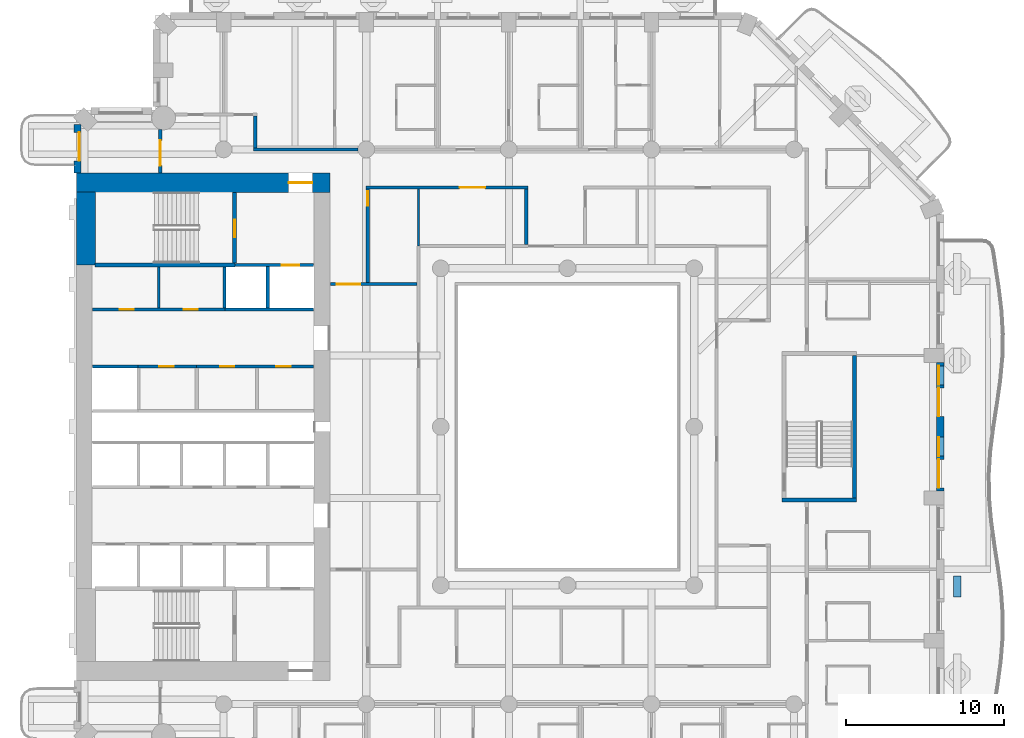
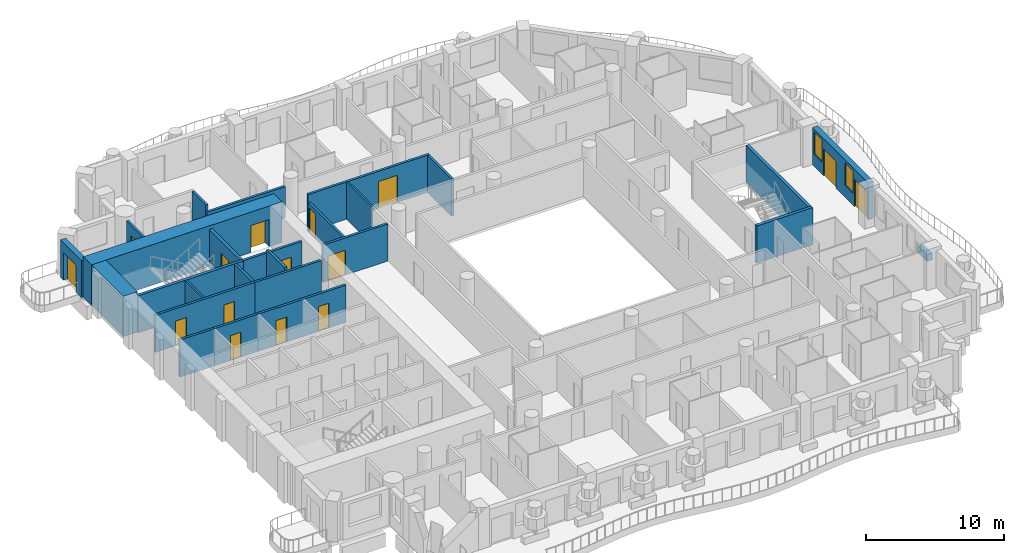
# One storey, part 7 of 20: 26 walls, 15 doors, 2 windows, 17 openings.
"""IFC4 building model written with IfcOpenShell, lengths in metres."""

from ifc_helpers import new_model, si_unit, direction, frame, frame_2d, origin, place, context, subcontext, project, spatial, rectangle, extrude, material, layer, layer_set, type_object, element, fill, save


model = new_model("IFC4")

# Units and contexts
model_context = context("Model", 3, precision=1e-05, world=origin(), true_north=direction((0.0, 1.0)))
body_context = subcontext(model_context, "Body", "Model", "MODEL_VIEW")
ifc_project = project(units=[si_unit("LENGTHUNIT", "METRE"), si_unit("AREAUNIT", "SQUARE_METRE"), si_unit("VOLUMEUNIT", "CUBIC_METRE"), si_unit("PLANEANGLEUNIT", "RADIAN"), si_unit("MASSUNIT", "GRAM", prefix="KILO")], contexts=[model_context])

# Site, building, storey
site_placement = place(None, origin())
site = spatial("IfcSite", under=ifc_project, at=site_placement, CompositionType="ELEMENT")
building_placement = place(site_placement, origin())
building = spatial("IfcBuilding", under=site, at=building_placement, Name="Cypress Arch Tower", CompositionType="ELEMENT")
storey_placement = place(building_placement, frame((0.0, 0.0, 134.699951171875)))
storey = spatial("IfcBuildingStorey", under=building, at=storey_placement, Name="L29", CompositionType="ELEMENT", Elevation=134.699951171875)

# Wall
ifc_material_1 = material(Name="Concrete C40/50, waterproofed", Category="concrete")
ifc_layer_1 = layer(ifc_material_1, 0.449951171875)
ifc_layer_set_1 = layer_set([ifc_layer_1], Name="Balcony planter wall PW450")
wall_type_1 = type_object("IfcWallType", Name="Balcony planter wall PW450", PredefinedType="SOLIDWALL", material=ifc_layer_set_1)
wall_1_placement = place(storey_placement, frame((25.60009765625, -10.75, 0.0), z_axis=(0.0, 0.0, 1.0), x_axis=(0.0, 1.0, 0.0)))
element("IfcWall", 1, at=wall_1_placement, inside=storey, type_object=wall_type_1, Name="Balcony planter wall L29-A06.2", PredefinedType="SOLIDWALL", context=body_context, shape_type="SweptSolid", body=[
    extrude(rectangle(XDim=1.32861328125, YDim=0.449951171875, at=frame_2d((0.664306640625, 0.0))), origin(), (0.0, 0.0, 1.0), 0.60009765625),
])

# Wall, opening, door
ifc_material_2 = material(Name="Brick (red buff blend)", Category="masonry")
ifc_layer_2 = layer(ifc_material_2, 0.449951171875)
ifc_layer_set_2 = layer_set([ifc_layer_2], Name="Brick pier and spandrel wall BW450")
wall_type_2 = type_object("IfcWallType", Name="Brick pier and spandrel wall BW450", PredefinedType="SOLIDWALL", material=ifc_layer_set_2)
wall_2_placement = place(storey_placement, frame((-29.925048828125, 19.063720703125, 0.0), z_axis=(0.0, 0.0, 1.0), x_axis=(0.0, -1.0, 0.0)))
wall_2 = element("IfcWall", 2, at=wall_2_placement, inside=storey, type_object=wall_type_2, Name="Brick wall L29 A00.0", PredefinedType="SOLIDWALL", context=body_context, shape_type="SweptSolid", body=[
    extrude(rectangle(XDim=3.063720703125, YDim=0.449951171875, at=frame_2d((1.53173828125, 0.0))), origin(), (0.0, 0.0, 1.0), 3.300048828125),
])
opening_1_placement = place(wall_2_placement, frame((0.481689453125, 0.0, 0.0)))
opening_1 = element("IfcOpeningElement", 3, at=opening_1_placement, cuts=wall_2, Name="Opening D-L29-A00.0.1", PredefinedType="OPENING", context=body_context, shape_type="SweptSolid", body=[
    extrude(rectangle(XDim=1.800048828125, YDim=2.39990234375, at=frame_2d((0.89990234375, 1.199951171875))), frame((0.0, 0.23486328125, 0.0), z_axis=(0.0, -1.0, 0.0), x_axis=(1.0, 0.0, 0.0)), (0.0, 0.0, 1.0), 0.469970703125),
])
ifc_material_3 = material(Name="Anodised aluminium, bronze finish, laminated low-emissivity double glazing, large-missile impact rated", Category="aluminium")
door_type_1 = type_object("IfcDoorType", Name="Balcony sliding door 1800x2400", OperationType="SLIDING_TO_LEFT", PredefinedType="DOOR", material=ifc_material_3)
door_1_placement = place(opening_1_placement, origin())
door_1 = element("IfcDoor", 4, at=door_1_placement, inside=storey, type_object=door_type_1, Name="Balcony door L29 A00.0.1", OperationType="SLIDING_TO_LEFT", OverallHeight=2.39990234375, OverallWidth=1.800048828125, PredefinedType="DOOR", context=body_context, shape_type="SweptSolid", body=[
    extrude(rectangle(XDim=1.800048828125, YDim=2.39990234375, at=frame_2d((0.89990234375, 1.199951171875))), frame((0.0, 0.1298828125, 0.0), z_axis=(0.0, -1.0, 0.0), x_axis=(1.0, 0.0, 0.0)), (0.0, 0.0, 1.0), 0.050048828125),
])
fill(opening_1, door_1)

# Wall, openings, doors, windows
wall_3_placement = place(storey_placement, frame((24.52490234375, -4.050048828125, 0.0), z_axis=(0.0, 0.0, 1.0), x_axis=(0.0, 1.0, 0.0)))
wall_3 = element("IfcWall", 5, at=wall_3_placement, inside=storey, type_object=wall_type_2, Name="Brick wall L29 A06.2", PredefinedType="SOLIDWALL", context=body_context, shape_type="SweptSolid", body=[
    extrude(rectangle(XDim=8.10009765625, YDim=0.449951171875, at=frame_2d((4.050048828125, 0.0))), origin(), (0.0, 0.0, 1.0), 3.300048828125),
])
opening_2_placement = place(wall_3_placement, frame((0.199951171875, 0.0, 0.0)))
opening_2 = element("IfcOpeningElement", 6, at=opening_2_placement, cuts=wall_3, Name="Opening D-L29-A06.2.1", PredefinedType="OPENING", context=body_context, shape_type="SweptSolid", body=[
    extrude(rectangle(XDim=1.800048828125, YDim=2.39990234375, at=frame_2d((0.89990234375, 1.199951171875))), frame((0.0, 0.23486328125, 0.0), z_axis=(0.0, -1.0, 0.0), x_axis=(1.0, 0.0, 0.0)), (0.0, 0.0, 1.0), 0.469970703125),
])
opening_3_placement = place(wall_3_placement, frame((2.199951171875, 0.0, 1.050048828125)))
opening_3 = element("IfcOpeningElement", 7, at=opening_3_placement, cuts=wall_3, Name="Opening W120HD", PredefinedType="OPENING", context=body_context, shape_type="SweptSolid", body=[
    extrude(rectangle(XDim=1.199951171875, YDim=2.0, at=frame_2d((0.60009765625, 1.0))), frame((0.0, 0.23486328125, 0.0), z_axis=(0.0, -1.0, 0.0), x_axis=(1.0, 0.0, 0.0)), (0.0, 0.0, 1.0), 0.469970703125),
])
opening_4_placement = place(wall_3_placement, frame((4.699951171875, 0.0, 0.0)))
opening_4 = element("IfcOpeningElement", 8, at=opening_4_placement, cuts=wall_3, Name="Opening D-L29-A06.2.2", PredefinedType="OPENING", context=body_context, shape_type="SweptSolid", body=[
    extrude(rectangle(XDim=1.800048828125, YDim=2.39990234375, at=frame_2d((0.89990234375, 1.199951171875))), frame((0.0, 0.23486328125, 0.0), z_axis=(0.0, -1.0, 0.0), x_axis=(1.0, 0.0, 0.0)), (0.0, 0.0, 1.0), 0.469970703125),
])
opening_5_placement = place(wall_3_placement, frame((6.699951171875, 0.0, 1.050048828125)))
opening_5 = element("IfcOpeningElement", 9, at=opening_5_placement, cuts=wall_3, Name="Opening W120HD", PredefinedType="OPENING", context=body_context, shape_type="SweptSolid", body=[
    extrude(rectangle(XDim=1.199951171875, YDim=2.0, at=frame_2d((0.60009765625, 1.0))), frame((0.0, 0.23486328125, 0.0), z_axis=(0.0, -1.0, 0.0), x_axis=(1.0, 0.0, 0.0)), (0.0, 0.0, 1.0), 0.469970703125),
])
door_2_placement = place(opening_2_placement, origin())
door_2 = element("IfcDoor", 10, at=door_2_placement, inside=storey, type_object=door_type_1, Name="Balcony door L29 A06.2.1", OperationType="SLIDING_TO_LEFT", OverallHeight=2.39990234375, OverallWidth=1.800048828125, PredefinedType="DOOR", context=body_context, shape_type="SweptSolid", body=[
    extrude(rectangle(XDim=1.800048828125, YDim=2.39990234375, at=frame_2d((0.89990234375, 1.199951171875))), frame((0.0, 0.1298828125, 0.0), z_axis=(0.0, -1.0, 0.0), x_axis=(1.0, 0.0, 0.0)), (0.0, 0.0, 1.0), 0.050048828125),
])
fill(opening_2, door_2)
door_3_placement = place(opening_4_placement, origin())
door_3 = element("IfcDoor", 11, at=door_3_placement, inside=storey, type_object=door_type_1, Name="Balcony door L29 A06.2.2", OperationType="SLIDING_TO_LEFT", OverallHeight=2.39990234375, OverallWidth=1.800048828125, PredefinedType="DOOR", context=body_context, shape_type="SweptSolid", body=[
    extrude(rectangle(XDim=1.800048828125, YDim=2.39990234375, at=frame_2d((0.89990234375, 1.199951171875))), frame((0.0, 0.1298828125, 0.0), z_axis=(0.0, -1.0, 0.0), x_axis=(1.0, 0.0, 0.0)), (0.0, 0.0, 1.0), 0.050048828125),
])
fill(opening_4, door_3)
ifc_material_4 = material(Name="Anodised aluminium, bronze finish, laminated low-emissivity double glazing, large-missile impact rated", Category="aluminium")
window_type = type_object("IfcWindowType", Name="Window Hotel 1200x2000 debris-rated", PartitioningType="SINGLE_PANEL", PredefinedType="WINDOW", material=ifc_material_4)
window_1_placement = place(opening_3_placement, origin())
window_1 = element("IfcWindow", 12, at=window_1_placement, inside=storey, type_object=window_type, Name="Window L29 A06.2.1", OverallHeight=2.0, OverallWidth=1.199951171875, PartitioningType="SINGLE_PANEL", PredefinedType="WINDOW", context=body_context, shape_type="SweptSolid", body=[
    extrude(rectangle(XDim=1.199951171875, YDim=2.0, at=frame_2d((0.60009765625, 1.0))), frame((0.0, 0.135009765625, 0.0), z_axis=(0.0, -1.0, 0.0), x_axis=(1.0, 0.0, 0.0)), (0.0, 0.0, 1.0), 0.06005859375),
])
fill(opening_3, window_1)
window_2_placement = place(opening_5_placement, origin())
window_2 = element("IfcWindow", 13, at=window_2_placement, inside=storey, type_object=window_type, Name="Window L29 A06.2.2", OverallHeight=2.0, OverallWidth=1.199951171875, PartitioningType="SINGLE_PANEL", PredefinedType="WINDOW", context=body_context, shape_type="SweptSolid", body=[
    extrude(rectangle(XDim=1.199951171875, YDim=2.0, at=frame_2d((0.60009765625, 1.0))), frame((0.0, 0.135009765625, 0.0), z_axis=(0.0, -1.0, 0.0), x_axis=(1.0, 0.0, 0.0)), (0.0, 0.0, 1.0), 0.06005859375),
])
fill(opening_5, window_2)

# Wall, opening, door
ifc_material_5 = material(Name="Concrete C80/95", Category="concrete")
ifc_layer_3 = layer(ifc_material_5, 1.199951171875)
ifc_layer_set_3 = layer_set([ifc_layer_3], Name="Core wall CW1200 C80/95")
wall_type_3 = type_object("IfcWallType", Name="Core wall CW1200 C80/95", PredefinedType="SHEAR", material=ifc_layer_set_3)
wall_4_placement = place(storey_placement, frame((-30.0, 15.39990234375, 0.0), z_axis=(0.0, 0.0, 1.0), x_axis=(1.0, 0.0, 0.0)))
wall_4 = element("IfcWall", 14, at=wall_4_placement, inside=storey, type_object=wall_type_3, Name="Core wall", PredefinedType="SHEAR", context=body_context, shape_type="SweptSolid", body=[
    extrude(rectangle(XDim=16.0, YDim=1.199951171875, at=frame_2d((8.0, 0.0))), origin(), (0.0, 0.0, 1.0), 3.60009765625),
])
opening_6_placement = place(wall_4_placement, frame((13.39990234375, 0.0, 0.0)))
opening_6 = element("IfcOpeningElement", 15, at=opening_6_placement, cuts=wall_4, Name="Opening D07", PredefinedType="OPENING", context=body_context, shape_type="SweptSolid", body=[
    extrude(rectangle(XDim=1.5, YDim=2.39990234375, at=frame_2d((0.75, 1.199951171875))), frame((0.0, 0.60986328125, 0.0), z_axis=(0.0, -1.0, 0.0), x_axis=(1.0, 0.0, 0.0)), (0.0, 0.0, 1.0), 1.219970703125),
])
ifc_material_6 = material(Name="Steel framed glazed door, fire resisting", Category="steel")
door_type_2 = type_object("IfcDoorType", Name="Lobby door D07 1500x2400", OperationType="DOUBLE_DOOR_SINGLE_SWING", PredefinedType="DOOR", material=ifc_material_6)
door_4_placement = place(opening_6_placement, origin())
door_4 = element("IfcDoor", 16, at=door_4_placement, inside=storey, type_object=door_type_2, Name="Lobby door", OperationType="DOUBLE_DOOR_SINGLE_SWING", OverallHeight=2.39990234375, OverallWidth=1.5, PredefinedType="DOOR", context=body_context, shape_type="SweptSolid", body=[
    extrude(rectangle(XDim=1.5, YDim=2.39990234375, at=frame_2d((0.75, 1.199951171875))), frame((0.0, 0.02490234375, 0.0), z_axis=(0.0, -1.0, 0.0), x_axis=(1.0, 0.0, 0.0)), (0.0, 0.0, 1.0), 0.050048828125),
])
fill(opening_6, door_4)

# Wall
wall_5_placement = place(storey_placement, frame((-29.39990234375, 10.199951171875, 0.0), z_axis=(0.0, 0.0, 1.0), x_axis=(0.0, 1.0, 0.0)))
element("IfcWall", 17, at=wall_5_placement, inside=storey, type_object=wall_type_3, Name="Core wall", PredefinedType="SHEAR", context=body_context, shape_type="SweptSolid", body=[
    extrude(rectangle(XDim=4.60009765625, YDim=1.199951171875, at=frame_2d((2.300048828125, 0.0))), origin(), (0.0, 0.0, 1.0), 3.60009765625),
])

# Wall, openings, doors
ifc_material_7 = material(Name="Concrete blockwork, plastered, rated", Category="masonry")
ifc_layer_4 = layer(ifc_material_7, 0.199951171875)
ifc_layer_set_4 = layer_set([ifc_layer_4], Name="Corridor wall FW200")
wall_type_4 = type_object("IfcWallType", Name="Corridor wall FW200", PredefinedType="PARTITIONING", material=ifc_layer_set_4)
wall_6_placement = place(storey_placement, frame((-28.969970703125, 7.39990234375, 0.0), z_axis=(0.0, 0.0, 1.0), x_axis=(1.0, 0.0, 0.0)))
wall_6 = element("IfcWall", 18, at=wall_6_placement, inside=storey, type_object=wall_type_4, Name="Corridor wall", PredefinedType="PARTITIONING", context=body_context, shape_type="SweptSolid", body=[
    extrude(rectangle(XDim=8.349853515625, YDim=0.199951171875, at=frame_2d((4.1748046875, 0.0))), origin(), (0.0, 0.0, 1.0), 3.300048828125),
])
opening_7_placement = place(wall_6_placement, frame((1.699951171875, 0.0, 0.0)))
opening_7 = element("IfcOpeningElement", 19, at=opening_7_placement, cuts=wall_6, Name="Opening D05", PredefinedType="OPENING", context=body_context, shape_type="SweptSolid", body=[
    extrude(rectangle(XDim=0.89990234375, YDim=2.199951171875, at=frame_2d((0.449951171875, 1.10009765625))), frame((0.0, 0.10986328125, 0.0), z_axis=(0.0, -1.0, 0.0), x_axis=(1.0, 0.0, 0.0)), (0.0, 0.0, 1.0), 0.219970703125),
])
opening_8_placement = place(wall_6_placement, frame((5.75, 0.0, 0.0)))
opening_8 = element("IfcOpeningElement", 20, at=opening_8_placement, cuts=wall_6, Name="Opening D05", PredefinedType="OPENING", context=body_context, shape_type="SweptSolid", body=[
    extrude(rectangle(XDim=0.89990234375, YDim=2.199951171875, at=frame_2d((0.449951171875, 1.10009765625))), frame((0.0, 0.10986328125, 0.0), z_axis=(0.0, -1.0, 0.0), x_axis=(1.0, 0.0, 0.0)), (0.0, 0.0, 1.0), 0.219970703125),
])
ifc_material_8 = material(Name="Timber flush door", Category="wood")
door_type_3 = type_object("IfcDoorType", Name="Service door D05 900x2200", OperationType="SINGLE_SWING_LEFT", PredefinedType="DOOR", material=ifc_material_8)
door_5_placement = place(opening_7_placement, origin())
door_5 = element("IfcDoor", 21, at=door_5_placement, inside=storey, type_object=door_type_3, Name="Service door", OperationType="SINGLE_SWING_RIGHT", OverallHeight=2.199951171875, OverallWidth=0.89990234375, PredefinedType="DOOR", context=body_context, shape_type="SweptSolid", body=[
    extrude(rectangle(XDim=0.89990234375, YDim=2.199951171875, at=frame_2d((0.449951171875, 1.10009765625))), frame((0.0, 0.02490234375, 0.0), z_axis=(0.0, -1.0, 0.0), x_axis=(1.0, 0.0, 0.0)), (0.0, 0.0, 1.0), 0.050048828125),
])
fill(opening_7, door_5)
door_6_placement = place(opening_8_placement, origin())
door_6 = element("IfcDoor", 22, at=door_6_placement, inside=storey, type_object=door_type_3, Name="Service door", OperationType="SINGLE_SWING_LEFT", OverallHeight=2.199951171875, OverallWidth=0.89990234375, PredefinedType="DOOR", context=body_context, shape_type="SweptSolid", body=[
    extrude(rectangle(XDim=0.89990234375, YDim=2.199951171875, at=frame_2d((0.449951171875, 1.10009765625))), frame((0.0, 0.02490234375, 0.0), z_axis=(0.0, -1.0, 0.0), x_axis=(1.0, 0.0, 0.0)), (0.0, 0.0, 1.0), 0.050048828125),
])
fill(opening_8, door_6)

# Wall, opening, door
wall_7_placement = place(storey_placement, frame((-26.10009765625, 3.800048828125, 0.0), z_axis=(0.0, 0.0, 1.0), x_axis=(1.0, 0.0, 0.0)))
wall_7 = element("IfcWall", 23, at=wall_7_placement, inside=storey, type_object=wall_type_4, Name="Corridor wall", PredefinedType="PARTITIONING", context=body_context, shape_type="SweptSolid", body=[
    extrude(rectangle(XDim=3.68017578125, YDim=0.199951171875, at=frame_2d((1.840087890625, 0.0))), origin(), (0.0, 0.0, 1.0), 3.300048828125),
])
opening_9_placement = place(wall_7_placement, frame((1.35009765625, 0.0, 0.0)))
opening_9 = element("IfcOpeningElement", 24, at=opening_9_placement, cuts=wall_7, Name="Opening D05", PredefinedType="OPENING", context=body_context, shape_type="SweptSolid", body=[
    extrude(rectangle(XDim=0.89990234375, YDim=2.199951171875, at=frame_2d((0.449951171875, 1.10009765625))), frame((0.0, 0.10986328125, 0.0), z_axis=(0.0, -1.0, 0.0), x_axis=(1.0, 0.0, 0.0)), (0.0, 0.0, 1.0), 0.219970703125),
])
door_7_placement = place(opening_9_placement, origin())
door_7 = element("IfcDoor", 25, at=door_7_placement, inside=storey, type_object=door_type_3, Name="Service door", OperationType="SINGLE_SWING_RIGHT", OverallHeight=2.199951171875, OverallWidth=0.89990234375, PredefinedType="DOOR", context=body_context, shape_type="SweptSolid", body=[
    extrude(rectangle(XDim=0.89990234375, YDim=2.199951171875, at=frame_2d((0.449951171875, 1.10009765625))), frame((0.0, 0.02490234375, 0.0), z_axis=(0.0, -1.0, 0.0), x_axis=(1.0, 0.0, 0.0)), (0.0, 0.0, 1.0), 0.050048828125),
])
fill(opening_9, door_7)

wall_8_placement = place(storey_placement, frame((-24.699951171875, 16.030029296875, 0.0), z_axis=(0.0, 0.0, 1.0), x_axis=(0.0, 1.0, 0.0)))
wall_8 = element("IfcWall", 26, at=wall_8_placement, inside=storey, type_object=wall_type_4, Name="Corridor wall", PredefinedType="PARTITIONING", context=body_context, shape_type="SweptSolid", body=[
    extrude(rectangle(XDim=2.72216796875, YDim=0.199951171875, at=frame_2d((1.361083984375, 0.0))), origin(), (0.0, 0.0, 1.0), 3.300048828125),
])
opening_10_placement = place(wall_8_placement, frame((0.449951171875, 0.0, 0.0)))
opening_10 = element("IfcOpeningElement", 27, at=opening_10_placement, cuts=wall_8, Name="Opening D10", PredefinedType="OPENING", context=body_context, shape_type="SweptSolid", body=[
    extrude(rectangle(XDim=1.60009765625, YDim=2.39990234375, at=frame_2d((0.800048828125, 1.199951171875))), frame((0.0, 0.10986328125, 0.0), z_axis=(0.0, -1.0, 0.0), x_axis=(1.0, 0.0, 0.0)), (0.0, 0.0, 1.0), 0.219970703125),
])
ifc_material_9 = material(Name="Black aluminium glazed door", Category="aluminium")
door_type_4 = type_object("IfcDoorType", Name="Amenity door D10 1600x2400", OperationType="DOUBLE_DOOR_SINGLE_SWING", PredefinedType="DOOR", material=ifc_material_9)
door_8_placement = place(opening_10_placement, origin())
door_8 = element("IfcDoor", 28, at=door_8_placement, inside=storey, type_object=door_type_4, Name="Amenity door", OperationType="DOUBLE_DOOR_SINGLE_SWING", OverallHeight=2.39990234375, OverallWidth=1.60009765625, PredefinedType="DOOR", context=body_context, shape_type="SweptSolid", body=[
    extrude(rectangle(XDim=1.60009765625, YDim=2.39990234375, at=frame_2d((0.800048828125, 1.199951171875))), frame((0.0, 0.02490234375, 0.0), z_axis=(0.0, -1.0, 0.0), x_axis=(1.0, 0.0, 0.0)), (0.0, 0.0, 1.0), 0.050048828125),
])
fill(opening_10, door_8)

# Walls
wall_9_placement = place(storey_placement, frame((-18.699951171875, 17.60009765625, 0.0), z_axis=(0.0, 0.0, 1.0), x_axis=(0.0, 1.0, 0.0)))
element("IfcWall", 29, at=wall_9_placement, inside=storey, type_object=wall_type_4, Name="Corridor wall", PredefinedType="PARTITIONING", context=body_context, shape_type="SweptSolid", body=[
    extrude(rectangle(XDim=2.0, YDim=0.199951171875, at=frame_2d((1.0, 0.0))), origin(), (0.0, 0.0, 1.0), 3.300048828125),
])
wall_10_placement = place(storey_placement, frame((-18.800048828125, 17.5, 0.0), z_axis=(0.0, 0.0, 1.0), x_axis=(1.0, 0.0, 0.0)))
element("IfcWall", 30, at=wall_10_placement, inside=storey, type_object=wall_type_4, Name="Corridor wall", PredefinedType="PARTITIONING", context=body_context, shape_type="SweptSolid", body=[
    extrude(rectangle(XDim=6.574951171875, YDim=0.199951171875, at=frame_2d((3.28759765625, 0.0))), origin(), (0.0, 0.0, 1.0), 2.75),
])

# Wall, opening, door
wall_11_placement = place(storey_placement, frame((-13.969970703125, 9.0, 0.0), z_axis=(0.0, 0.0, 1.0), x_axis=(1.0, 0.0, 0.0)))
wall_11 = element("IfcWall", 31, at=wall_11_placement, inside=storey, type_object=wall_type_4, Name="Corridor wall", PredefinedType="PARTITIONING", context=body_context, shape_type="SweptSolid", body=[
    extrude(rectangle(XDim=5.469970703125, YDim=0.199951171875, at=frame_2d((2.73486328125, 0.0))), origin(), (0.0, 0.0, 1.0), 3.300048828125),
])
opening_11_placement = place(wall_11_placement, frame((0.39990234375, 0.0, 0.0)))
opening_11 = element("IfcOpeningElement", 32, at=opening_11_placement, cuts=wall_11, Name="Opening D04", PredefinedType="OPENING", context=body_context, shape_type="SweptSolid", body=[
    extrude(rectangle(XDim=1.5, YDim=2.199951171875, at=frame_2d((0.75, 1.10009765625))), frame((0.0, 0.10986328125, 0.0), z_axis=(0.0, -1.0, 0.0), x_axis=(1.0, 0.0, 0.0)), (0.0, 0.0, 1.0), 0.219970703125),
])
ifc_material_10 = material(Name="Timber double door", Category="wood")
door_type_5 = type_object("IfcDoorType", Name="Double door D04 1500x2200", OperationType="DOUBLE_DOOR_SINGLE_SWING", PredefinedType="DOOR", material=ifc_material_10)
door_9_placement = place(opening_11_placement, origin())
door_9 = element("IfcDoor", 33, at=door_9_placement, inside=storey, type_object=door_type_5, Name="Double door", OperationType="DOUBLE_DOOR_SINGLE_SWING", OverallHeight=2.199951171875, OverallWidth=1.5, PredefinedType="DOOR", context=body_context, shape_type="SweptSolid", body=[
    extrude(rectangle(XDim=1.5, YDim=2.199951171875, at=frame_2d((0.75, 1.10009765625))), frame((0.0, 0.02490234375, 0.0), z_axis=(0.0, -1.0, 0.0), x_axis=(1.0, 0.0, 0.0)), (0.0, 0.0, 1.0), 0.050048828125),
])
fill(opening_11, door_9)

wall_12_placement = place(storey_placement, frame((-11.60009765625, 9.10009765625, 0.0), z_axis=(0.0, 0.0, 1.0), x_axis=(0.0, 1.0, 0.0)))
wall_12 = element("IfcWall", 34, at=wall_12_placement, inside=storey, type_object=wall_type_4, Name="Corridor wall", PredefinedType="PARTITIONING", context=body_context, shape_type="SweptSolid", body=[
    extrude(rectangle(XDim=5.89990234375, YDim=0.199951171875, at=frame_2d((2.949951171875, 0.0))), origin(), (0.0, 0.0, 1.0), 2.60009765625),
])
opening_12_placement = place(wall_12_placement, frame((4.85009765625, 0.0, 0.0)))
opening_12 = element("IfcOpeningElement", 35, at=opening_12_placement, cuts=wall_12, Name="Opening D05", PredefinedType="OPENING", context=body_context, shape_type="SweptSolid", body=[
    extrude(rectangle(XDim=0.89990234375, YDim=2.199951171875, at=frame_2d((0.449951171875, 1.10009765625))), frame((0.0, 0.10986328125, 0.0), z_axis=(0.0, -1.0, 0.0), x_axis=(1.0, 0.0, 0.0)), (0.0, 0.0, 1.0), 0.219970703125),
])
door_10_placement = place(opening_12_placement, origin())
door_10 = element("IfcDoor", 36, at=door_10_placement, inside=storey, type_object=door_type_3, Name="Service door", OperationType="SINGLE_SWING_LEFT", OverallHeight=2.199951171875, OverallWidth=0.89990234375, PredefinedType="DOOR", context=body_context, shape_type="SweptSolid", body=[
    extrude(rectangle(XDim=0.89990234375, YDim=2.199951171875, at=frame_2d((0.449951171875, 1.10009765625))), frame((0.0, 0.02490234375, 0.0), z_axis=(0.0, -1.0, 0.0), x_axis=(1.0, 0.0, 0.0)), (0.0, 0.0, 1.0), 0.050048828125),
])
fill(opening_12, door_10)

wall_13_placement = place(storey_placement, frame((-11.699951171875, 15.10009765625, 0.0), z_axis=(0.0, 0.0, 1.0), x_axis=(1.0, 0.0, 0.0)))
wall_13 = element("IfcWall", 37, at=wall_13_placement, inside=storey, type_object=wall_type_4, Name="Corridor wall", PredefinedType="PARTITIONING", context=body_context, shape_type="SweptSolid", body=[
    extrude(rectangle(XDim=10.199951171875, YDim=0.199951171875, at=frame_2d((5.10009765625, 0.0))), origin(), (0.0, 0.0, 1.0), 3.300048828125),
])
opening_13_placement = place(wall_13_placement, frame((5.89990234375, 0.0, 0.0)))
opening_13 = element("IfcOpeningElement", 38, at=opening_13_placement, cuts=wall_13, Name="Opening D10", PredefinedType="OPENING", context=body_context, shape_type="SweptSolid", body=[
    extrude(rectangle(XDim=1.60009765625, YDim=2.39990234375, at=frame_2d((0.800048828125, 1.199951171875))), frame((0.0, 0.10986328125, 0.0), z_axis=(0.0, -1.0, 0.0), x_axis=(1.0, 0.0, 0.0)), (0.0, 0.0, 1.0), 0.219970703125),
])
door_11_placement = place(opening_13_placement, origin())
door_11 = element("IfcDoor", 39, at=door_11_placement, inside=storey, type_object=door_type_4, Name="Amenity door", OperationType="DOUBLE_DOOR_SINGLE_SWING", OverallHeight=2.39990234375, OverallWidth=1.60009765625, PredefinedType="DOOR", context=body_context, shape_type="SweptSolid", body=[
    extrude(rectangle(XDim=1.60009765625, YDim=2.39990234375, at=frame_2d((0.800048828125, 1.199951171875))), frame((0.0, 0.02490234375, 0.0), z_axis=(0.0, -1.0, 0.0), x_axis=(1.0, 0.0, 0.0)), (0.0, 0.0, 1.0), 0.050048828125),
])
fill(opening_13, door_11)

# Walls
wall_14_placement = place(storey_placement, frame((-1.60009765625, 11.5, 0.0), z_axis=(0.0, 0.0, 1.0), x_axis=(0.0, 1.0, 0.0)))
element("IfcWall", 40, at=wall_14_placement, inside=storey, type_object=wall_type_4, Name="Corridor wall", PredefinedType="PARTITIONING", context=body_context, shape_type="SweptSolid", body=[
    extrude(rectangle(XDim=3.5, YDim=0.199951171875, at=frame_2d((1.75, 0.0))), origin(), (0.0, 0.0, 1.0), 3.300048828125),
])
ifc_material_11 = material(Name="Blockwork, plastered both sides", Category="masonry")
ifc_layer_5 = layer(ifc_material_11, 0.14990234375)
ifc_layer_set_5 = layer_set([ifc_layer_5], Name="Partition PW150")
wall_type_5 = type_object("IfcWallType", Name="Partition PW150", PredefinedType="PARTITIONING", material=ifc_layer_set_5)
wall_15_placement = place(storey_placement, frame((-24.800048828125, 7.5, 0.0), z_axis=(0.0, 0.0, 1.0), x_axis=(0.0, 1.0, 0.0)))
element("IfcWall", 41, at=wall_15_placement, inside=storey, type_object=wall_type_5, Name="Partition", PredefinedType="PARTITIONING", context=body_context, shape_type="SweptSolid", body=[
    extrude(rectangle(XDim=2.574951171875, YDim=0.14990234375, at=frame_2d((1.28759765625, 0.0))), origin(), (0.0, 0.0, 1.0), 3.300048828125),
])
wall_16_placement = place(storey_placement, frame((-8.39990234375, 11.39990234375, 0.0), z_axis=(0.0, 0.0, 1.0), x_axis=(0.0, 1.0, 0.0)))
element("IfcWall", 42, at=wall_16_placement, inside=storey, type_object=wall_type_5, Name="Partition", PredefinedType="PARTITIONING", context=body_context, shape_type="SweptSolid", body=[
    extrude(rectangle(XDim=3.60009765625, YDim=0.14990234375, at=frame_2d((1.800048828125, 0.0))), origin(), (0.0, 0.0, 1.0), 3.300048828125),
])

# Wall, openings, doors
ifc_material_12 = material(Name="Reinforced blockwork, plastered, rated", Category="masonry")
ifc_layer_6 = layer(ifc_material_12, 0.199951171875)
ifc_layer_set_6 = layer_set([ifc_layer_6], Name="Plant and riser wall PL200")
wall_type_6 = type_object("IfcWallType", Name="Plant and riser wall PL200", PredefinedType="PARTITIONING", material=ifc_layer_set_6)
wall_17_placement = place(storey_placement, frame((-22.419921875, 3.800048828125, 0.0), z_axis=(0.0, 0.0, 1.0), x_axis=(1.0, 0.0, 0.0)))
wall_17 = element("IfcWall", 43, at=wall_17_placement, inside=storey, type_object=wall_type_6, Name="Plant and riser wall", PredefinedType="PARTITIONING", context=body_context, shape_type="SweptSolid", body=[
    extrude(rectangle(XDim=7.389892578125, YDim=0.199951171875, at=frame_2d((3.69482421875, 0.0))), origin(), (0.0, 0.0, 1.0), 3.300048828125),
])
opening_14_placement = place(wall_17_placement, frame((1.5, 0.0, 0.0)))
opening_14 = element("IfcOpeningElement", 44, at=opening_14_placement, cuts=wall_17, Name="Opening D05", PredefinedType="OPENING", context=body_context, shape_type="SweptSolid", body=[
    extrude(rectangle(XDim=0.89990234375, YDim=2.199951171875, at=frame_2d((0.449951171875, 1.10009765625))), frame((0.0, 0.10986328125, 0.0), z_axis=(0.0, -1.0, 0.0), x_axis=(1.0, 0.0, 0.0)), (0.0, 0.0, 1.0), 0.219970703125),
])
opening_15_placement = place(wall_17_placement, frame((5.050048828125, 0.0, 0.0)))
opening_15 = element("IfcOpeningElement", 45, at=opening_15_placement, cuts=wall_17, Name="Opening D05", PredefinedType="OPENING", context=body_context, shape_type="SweptSolid", body=[
    extrude(rectangle(XDim=0.89990234375, YDim=2.199951171875, at=frame_2d((0.449951171875, 1.10009765625))), frame((0.0, 0.10986328125, 0.0), z_axis=(0.0, -1.0, 0.0), x_axis=(1.0, 0.0, 0.0)), (0.0, 0.0, 1.0), 0.219970703125),
])
door_12_placement = place(opening_14_placement, origin())
door_12 = element("IfcDoor", 46, at=door_12_placement, inside=storey, type_object=door_type_3, Name="Service door", OperationType="SINGLE_SWING_LEFT", OverallHeight=2.199951171875, OverallWidth=0.89990234375, PredefinedType="DOOR", context=body_context, shape_type="SweptSolid", body=[
    extrude(rectangle(XDim=0.89990234375, YDim=2.199951171875, at=frame_2d((0.449951171875, 1.10009765625))), frame((0.0, 0.02490234375, 0.0), z_axis=(0.0, -1.0, 0.0), x_axis=(1.0, 0.0, 0.0)), (0.0, 0.0, 1.0), 0.050048828125),
])
fill(opening_14, door_12)
door_13_placement = place(opening_15_placement, origin())
door_13 = element("IfcDoor", 47, at=door_13_placement, inside=storey, type_object=door_type_3, Name="Service door", OperationType="SINGLE_SWING_RIGHT", OverallHeight=2.199951171875, OverallWidth=0.89990234375, PredefinedType="DOOR", context=body_context, shape_type="SweptSolid", body=[
    extrude(rectangle(XDim=0.89990234375, YDim=2.199951171875, at=frame_2d((0.449951171875, 1.10009765625))), frame((0.0, 0.02490234375, 0.0), z_axis=(0.0, -1.0, 0.0), x_axis=(1.0, 0.0, 0.0)), (0.0, 0.0, 1.0), 0.050048828125),
])
fill(opening_15, door_13)

# Walls
ifc_material_13 = material(Name="Concrete C50/60", Category="concrete")
ifc_layer_7 = layer(ifc_material_13, 0.199951171875)
ifc_layer_set_7 = layer_set([ifc_layer_7], Name="Shaft wall SH200")
wall_type_7 = type_object("IfcWallType", Name="Shaft wall SH200", PredefinedType="SHEAR", material=ifc_layer_set_7)
wall_18_placement = place(storey_placement, frame((-28.969970703125, 3.800048828125, 0.0), z_axis=(0.0, 0.0, 1.0), x_axis=(1.0, 0.0, 0.0)))
element("IfcWall", 48, at=wall_18_placement, inside=storey, type_object=wall_type_7, Name="Shaft wall", PredefinedType="SHEAR", context=body_context, shape_type="SweptSolid", body=[
    extrude(rectangle(XDim=2.869873046875, YDim=0.199951171875, at=frame_2d((1.43505859375, 0.0))), origin(), (0.0, 0.0, 1.0), 3.300048828125),
])
wall_19_placement = place(storey_placement, frame((-20.639892578125, 7.5, 0.0), z_axis=(0.0, 0.0, 1.0), x_axis=(0.0, 1.0, 0.0)))
element("IfcWall", 49, at=wall_19_placement, inside=storey, type_object=wall_type_7, Name="Shaft wall", PredefinedType="SHEAR", context=body_context, shape_type="SweptSolid", body=[
    extrude(rectangle(XDim=2.574951171875, YDim=0.199951171875, at=frame_2d((1.28759765625, 0.0))), origin(), (0.0, 0.0, 1.0), 3.300048828125),
])
wall_20_placement = place(storey_placement, frame((-20.6201171875, 7.39990234375, 0.0), z_axis=(0.0, 0.0, 1.0), x_axis=(1.0, 0.0, 0.0)))
element("IfcWall", 50, at=wall_20_placement, inside=storey, type_object=wall_type_7, Name="Shaft wall", PredefinedType="SHEAR", context=body_context, shape_type="SweptSolid", body=[
    extrude(rectangle(XDim=5.590087890625, YDim=0.199951171875, at=frame_2d((2.794921875, 0.0))), origin(), (0.0, 0.0, 1.0), 3.300048828125),
])

# Wall, opening, door
wall_21_placement = place(storey_placement, frame((-19.97998046875, 10.199951171875, 0.0), z_axis=(0.0, 0.0, 1.0), x_axis=(1.0, 0.0, 0.0)))
wall_21 = element("IfcWall", 51, at=wall_21_placement, inside=storey, type_object=wall_type_7, Name="Shaft wall", PredefinedType="SHEAR", context=body_context, shape_type="SweptSolid", body=[
    extrude(rectangle(XDim=4.949951171875, YDim=0.199951171875, at=frame_2d((2.47509765625, 0.0))), origin(), (0.0, 0.0, 1.0), 3.300048828125),
])
opening_16_placement = place(wall_21_placement, frame((2.949951171875, 0.0, 0.0)))
opening_16 = element("IfcOpeningElement", 52, at=opening_16_placement, cuts=wall_21, Name="Opening LD-FL2", PredefinedType="OPENING", context=body_context, shape_type="SweptSolid", body=[
    extrude(rectangle(XDim=1.10009765625, YDim=2.199951171875, at=frame_2d((0.550048828125, 1.10009765625))), frame((0.0, 0.10986328125, 0.0), z_axis=(0.0, -1.0, 0.0), x_axis=(1.0, 0.0, 0.0)), (0.0, 0.0, 1.0), 0.219970703125),
])
ifc_material_14 = material(Name="Stainless steel centre-opening landing door, rated", Category="steel")
door_type_6 = type_object("IfcDoorType", Name="Lift landing door LD 1100x2200", OperationType="DOUBLE_DOOR_SLIDING", PredefinedType="DOOR", material=ifc_material_14)
door_14_placement = place(opening_16_placement, origin())
door_14 = element("IfcDoor", 53, at=door_14_placement, inside=storey, type_object=door_type_6, Name="Lift landing doors FL2", OperationType="DOUBLE_DOOR_SLIDING", OverallHeight=2.199951171875, OverallWidth=1.10009765625, PredefinedType="DOOR", context=body_context, shape_type="SweptSolid", body=[
    extrude(rectangle(XDim=1.10009765625, YDim=2.199951171875, at=frame_2d((0.550048828125, 1.10009765625))), frame((0.0, 0.02490234375, 0.0), z_axis=(0.0, -1.0, 0.0), x_axis=(1.0, 0.0, 0.0)), (0.0, 0.0, 1.0), 0.050048828125),
])
fill(opening_16, door_14)

# Walls
wall_22_placement = place(storey_placement, frame((-17.919921875, 7.5, 0.0), z_axis=(0.0, 0.0, 1.0), x_axis=(0.0, 1.0, 0.0)))
element("IfcWall", 54, at=wall_22_placement, inside=storey, type_object=wall_type_7, Name="Shaft wall", PredefinedType="SHEAR", context=body_context, shape_type="SweptSolid", body=[
    extrude(rectangle(XDim=2.60009765625, YDim=0.199951171875, at=frame_2d((1.300048828125, 0.0))), origin(), (0.0, 0.0, 1.0), 3.60009765625),
])
ifc_material_15 = material(Name="Concrete C50/60", Category="concrete")
ifc_layer_8 = layer(ifc_material_15, 0.25)
ifc_layer_set_8 = layer_set([ifc_layer_8], Name="Stair enclosure wall SW250")
wall_type_8 = type_object("IfcWallType", Name="Stair enclosure wall SW250", PredefinedType="SHEAR", material=ifc_layer_set_8)
wall_23_placement = place(storey_placement, frame((-28.81005859375, 10.199951171875, 0.0), z_axis=(0.0, 0.0, 1.0), x_axis=(1.0, 0.0, 0.0)))
element("IfcWall", 55, at=wall_23_placement, inside=storey, type_object=wall_type_8, Name="Stair enclosure wall", PredefinedType="SHEAR", context=body_context, shape_type="SweptSolid", body=[
    extrude(rectangle(XDim=8.830078125, YDim=0.25, at=frame_2d((4.4150390625, 0.0))), origin(), (0.0, 0.0, 1.0), 3.300048828125),
])

# Wall, opening, door
wall_24_placement = place(storey_placement, frame((-20.0, 10.324951171875, 0.0), z_axis=(0.0, 0.0, 1.0), x_axis=(0.0, 1.0, 0.0)))
wall_24 = element("IfcWall", 56, at=wall_24_placement, inside=storey, type_object=wall_type_8, Name="Stair enclosure wall", PredefinedType="SHEAR", context=body_context, shape_type="SweptSolid", body=[
    extrude(rectangle(XDim=4.445068359375, YDim=0.25, at=frame_2d((2.22265625, 0.0))), origin(), (0.0, 0.0, 1.0), 3.300048828125),
])
opening_17_placement = place(wall_24_placement, frame((1.64990234375, 0.0, 0.0)))
opening_17 = element("IfcOpeningElement", 57, at=opening_17_placement, cuts=wall_24, Name="Opening D06", PredefinedType="OPENING", context=body_context, shape_type="SweptSolid", body=[
    extrude(rectangle(XDim=1.10009765625, YDim=2.199951171875, at=frame_2d((0.550048828125, 1.10009765625))), frame((0.0, 0.135009765625, 0.0), z_axis=(0.0, -1.0, 0.0), x_axis=(1.0, 0.0, 0.0)), (0.0, 0.0, 1.0), 0.27001953125),
])
ifc_material_16 = material(Name="Steel door, fire resisting, panic bar", Category="steel")
door_type_7 = type_object("IfcDoorType", Name="Stair door D06 1100x2200", OperationType="SINGLE_SWING_LEFT", PredefinedType="DOOR", material=ifc_material_16)
door_15_placement = place(opening_17_placement, origin())
door_15 = element("IfcDoor", 58, at=door_15_placement, inside=storey, type_object=door_type_7, Name="Stair door", OperationType="SINGLE_SWING_LEFT", OverallHeight=2.199951171875, OverallWidth=1.10009765625, PredefinedType="DOOR", context=body_context, shape_type="SweptSolid", body=[
    extrude(rectangle(XDim=1.10009765625, YDim=2.199951171875, at=frame_2d((0.550048828125, 1.10009765625))), frame((0.0, 0.02490234375, 0.0), z_axis=(0.0, -1.0, 0.0), x_axis=(1.0, 0.0, 0.0)), (0.0, 0.0, 1.0), 0.050048828125),
])
fill(opening_17, door_15)

# Walls
wall_25_placement = place(storey_placement, frame((14.550048828125, -4.625, 0.0), z_axis=(0.0, 0.0, 1.0), x_axis=(1.0, 0.0, 0.0)))
element("IfcWall", 59, at=wall_25_placement, inside=storey, type_object=wall_type_8, Name="Stair enclosure wall", PredefinedType="SHEAR", context=body_context, shape_type="SweptSolid", body=[
    extrude(rectangle(XDim=4.699951171875, YDim=0.25, at=frame_2d((2.35009765625, 0.0))), origin(), (0.0, 0.0, 1.0), 3.300048828125),
])
wall_26_placement = place(storey_placement, frame((19.125, -4.5, 0.0), z_axis=(0.0, 0.0, 1.0), x_axis=(0.0, 1.0, 0.0)))
element("IfcWall", 60, at=wall_26_placement, inside=storey, type_object=wall_type_8, Name="Stair enclosure wall", PredefinedType="SHEAR", context=body_context, shape_type="SweptSolid", body=[
    extrude(rectangle(XDim=9.0, YDim=0.25, at=frame_2d((4.5, 0.0))), origin(), (0.0, 0.0, 1.0), 3.300048828125),
])

save(model, "model.ifc")
